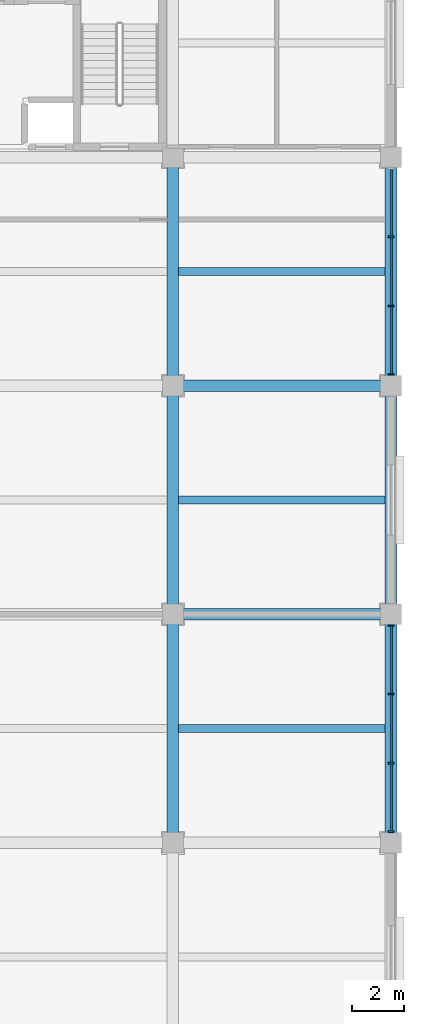
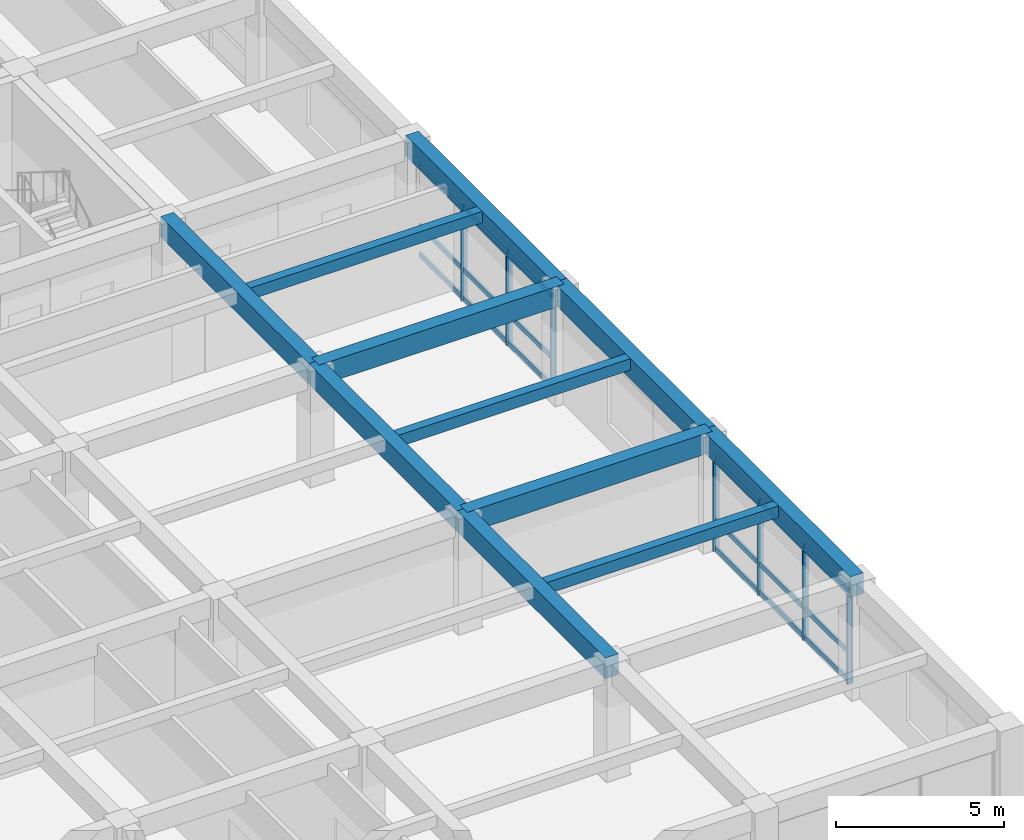
# One storey, part 26 of 57: 25 members, 11 beams, 2 elements without a shape of their own.
"""IFC4 building model written with IfcOpenShell, lengths in metres."""

from ifc_helpers import new_model, si_unit, direction, frame, origin, origin_2d, place, context, subcontext, project, spatial, rectangle, extrude, material, material_profile, profile_set, type_object, element, aggregate, save


model = new_model("IFC4")

# Units and contexts
model_context = context("Model", 3, precision=1e-05, world=origin(), true_north=direction((0.0, 1.0)))
body_context = subcontext(model_context, "Body", "Model", "MODEL_VIEW")
ifc_project = project(units=[si_unit("LENGTHUNIT", "METRE"), si_unit("AREAUNIT", "SQUARE_METRE"), si_unit("VOLUMEUNIT", "CUBIC_METRE"), si_unit("PLANEANGLEUNIT", "RADIAN"), si_unit("MASSUNIT", "GRAM", prefix="KILO")], contexts=[model_context])

# Site, building, storey
site_placement = place(None, origin())
site = spatial("IfcSite", under=ifc_project, at=site_placement, CompositionType="ELEMENT")
building_placement = place(site_placement, origin())
building = spatial("IfcBuilding", under=site, at=building_placement, Name="Kemercrest Conservatory and Botanical Centre", CompositionType="ELEMENT")
storey_placement = place(building_placement, frame((0.0, 0.0, 4.800048828125)))
storey = spatial("IfcBuildingStorey", under=building, at=storey_placement, Name="L01", CompositionType="ELEMENT", Elevation=4.800048828125)

# Beams
ifc_material_1 = material(Name="Concrete C40/50", Category="concrete")
ifc_material_profile_1 = material_profile(ifc_material_1, rectangle(XDim=0.449951171875, YDim=0.75, at=origin_2d()), Name="RC 450x750")
ifc_profile_set_1 = profile_set([ifc_material_profile_1], Name="Concrete C40/50")
beam_type_1 = type_object("IfcBeamType", Name="BM-RC75", PredefinedType="BEAM", material=ifc_profile_set_1)
for number, where, z_axis, x_axis, name in (
    (1, (167.60009765625, 87.199951171875, 3.824951171875), (1.0, 0.0, 0.0), (0.0, 1.0, 0.0), "V4-L02 beam BM-RC75 K/20-21"),
    (2, (167.60009765625, 96.0, 3.824951171875), (1.0, 0.0, 0.0), (0.0, 1.0, 0.0), "V4-L02 beam BM-RC75 L/20-21"),
):
    element("IfcBeam", number, at=place(storey_placement, frame(where, z_axis=z_axis, x_axis=x_axis)), inside=storey, type_object=beam_type_1, Name=name, PredefinedType="BEAM", context=body_context, shape_type="SweptSolid", body=[
        extrude(rectangle(XDim=0.449951171875, YDim=0.75, at=origin_2d()), origin(), (0.0, 0.0, 1.0), 8.39990234375),
    ])
for number, where, z_axis, x_axis, name in (
    (3, (167.60009765625, 78.39990234375, 3.824951171875), (0.0, 1.0, 0.0), (-1.0, 0.0, 0.0), "V4-L02 beam BM-RC75 20/J-K"),
    (4, (167.60009765625, 87.199951171875, 3.824951171875), (0.0, 1.0, 0.0), (-1.0, 0.0, 0.0), "V4-L02 beam BM-RC75 20/K-L"),
    (5, (167.60009765625, 96.0, 3.824951171875), (0.0, 1.0, 0.0), (-1.0, 0.0, 0.0), "V4-L02 beam BM-RC75 20/L-M"),
):
    element("IfcBeam", number, at=place(storey_placement, frame(where, z_axis=z_axis, x_axis=x_axis)), inside=storey, type_object=beam_type_1, Name=name, PredefinedType="BEAM", context=body_context, shape_type="SweptSolid", body=[
        extrude(rectangle(XDim=0.449951171875, YDim=0.75, at=origin_2d()), origin(), (0.0, 0.0, 1.0), 8.800048828125),
    ])

# Curtain wall, members
ifc_material_2 = material(Name="Thermally broken aluminium and triple low-e glazing", Category="aluminium")
curtain_wall_type_1 = type_object("IfcCurtainWallType", Name="CW-22", PredefinedType="USERDEFINED", material=ifc_material_2)
curtain_wall_1_placement = place(storey_placement, origin())
curtain_wall_1 = element("IfcCurtainWall", 6, at=curtain_wall_1_placement, inside=storey, type_object=curtain_wall_type_1, Name="Unitised curtain wall CW-22 (CW:L01:V4-051)", ObjectType="UNITISED CURTAIN WALL", PredefinedType="USERDEFINED")
ifc_material_3 = material(Name="Thermally broken anodized aluminium 6063-T6", Category="aluminium")
ifc_material_profile_2 = material_profile(ifc_material_3, rectangle(XDim=0.199951171875, YDim=0.06494140625, at=origin_2d()), Name="AL MULLION 65x200")
ifc_profile_set_2 = profile_set([ifc_material_profile_2], Name="Thermally broken anodized aluminium 6063-T6")
member_type_1 = type_object("IfcMemberType", Name="CW-M200", PredefinedType="MULLION", material=ifc_profile_set_2)
member_1_placement = place(storey_placement, frame((176.0, 78.827392578125, 0.0), z_axis=(0.0, 0.0, 1.0), x_axis=(-1.0, 0.0, 0.0)))
member_1 = element("IfcMember", 7, at=member_1_placement, type_object=member_type_1, Name="CW-22 mullion 1", PredefinedType="MULLION", context=body_context, shape_type="SweptSolid", body=[
    extrude(rectangle(XDim=0.199951171875, YDim=0.06494140625, at=origin_2d()), origin(), (0.0, 0.0, 1.0), 3.454833984375),
])
member_2_placement = place(storey_placement, frame((176.0, 81.465087890625, 0.0), z_axis=(0.0, 0.0, 1.0), x_axis=(-1.0, 0.0, 0.0)))
member_2 = element("IfcMember", 8, at=member_2_placement, type_object=member_type_1, Name="CW-22 mullion 2", PredefinedType="MULLION", context=body_context, shape_type="SweptSolid", body=[
    extrude(rectangle(XDim=0.199951171875, YDim=0.06494140625, at=origin_2d()), origin(), (0.0, 0.0, 1.0), 3.454833984375),
])
member_3_placement = place(storey_placement, frame((176.0, 84.135009765625, 0.0), z_axis=(0.0, 0.0, 1.0), x_axis=(-1.0, 0.0, 0.0)))
member_3 = element("IfcMember", 9, at=member_3_placement, type_object=member_type_1, Name="CW-22 mullion 3", PredefinedType="MULLION", context=body_context, shape_type="SweptSolid", body=[
    extrude(rectangle(XDim=0.199951171875, YDim=0.06494140625, at=origin_2d()), origin(), (0.0, 0.0, 1.0), 3.454833984375),
])
member_4_placement = place(storey_placement, frame((176.0, 86.7724609375, 0.0), z_axis=(0.0, 0.0, 1.0), x_axis=(-1.0, 0.0, 0.0)))
member_4 = element("IfcMember", 10, at=member_4_placement, type_object=member_type_1, Name="CW-22 mullion 4", PredefinedType="MULLION", context=body_context, shape_type="SweptSolid", body=[
    extrude(rectangle(XDim=0.199951171875, YDim=0.06494140625, at=origin_2d()), origin(), (0.0, 0.0, 1.0), 3.454833984375),
])

curtain_wall_type_2 = type_object("IfcCurtainWallType", Name="CW-23", PredefinedType="USERDEFINED", material=ifc_material_2)
curtain_wall_2_placement = place(storey_placement, origin())
curtain_wall_2 = element("IfcCurtainWall", 11, at=curtain_wall_2_placement, inside=storey, type_object=curtain_wall_type_2, Name="Unitised curtain wall CW-23 (CW:L01:V4-052)", ObjectType="UNITISED CURTAIN WALL", PredefinedType="USERDEFINED")
member_5_placement = place(storey_placement, frame((176.0, 96.427490234375, 0.0), z_axis=(0.0, 0.0, 1.0), x_axis=(-1.0, 0.0, 0.0)))
member_5 = element("IfcMember", 12, at=member_5_placement, type_object=member_type_1, Name="CW-23 mullion 1", PredefinedType="MULLION", context=body_context, shape_type="SweptSolid", body=[
    extrude(rectangle(XDim=0.199951171875, YDim=0.06494140625, at=origin_2d()), origin(), (0.0, 0.0, 1.0), 3.454833984375),
])
member_6_placement = place(storey_placement, frame((176.0, 99.06494140625, 0.0), z_axis=(0.0, 0.0, 1.0), x_axis=(-1.0, 0.0, 0.0)))
member_6 = element("IfcMember", 13, at=member_6_placement, type_object=member_type_1, Name="CW-23 mullion 2", PredefinedType="MULLION", context=body_context, shape_type="SweptSolid", body=[
    extrude(rectangle(XDim=0.199951171875, YDim=0.06494140625, at=origin_2d()), origin(), (0.0, 0.0, 1.0), 3.454833984375),
])
member_7_placement = place(storey_placement, frame((176.0, 101.735107421875, 0.0), z_axis=(0.0, 0.0, 1.0), x_axis=(-1.0, 0.0, 0.0)))
member_7 = element("IfcMember", 14, at=member_7_placement, type_object=member_type_1, Name="CW-23 mullion 3", PredefinedType="MULLION", context=body_context, shape_type="SweptSolid", body=[
    extrude(rectangle(XDim=0.199951171875, YDim=0.06494140625, at=origin_2d()), origin(), (0.0, 0.0, 1.0), 3.454833984375),
])

# Member
ifc_material_profile_3 = material_profile(ifc_material_3, rectangle(XDim=0.074951171875, YDim=0.179931640625, at=origin_2d()), Name="AL TRANSOM 75x180")
ifc_profile_set_3 = profile_set([ifc_material_profile_3], Name="Thermally broken anodized aluminium 6063-T6")
member_type_2 = type_object("IfcMemberType", Name="CW-T180", PredefinedType="USERDEFINED", material=ifc_profile_set_3)
member_8_placement = place(storey_placement, frame((176.0, 78.860107421875, 0.08984375), z_axis=(0.0, 1.0, 0.0), x_axis=(-1.0, 0.0, 0.0)))
member_8 = element("IfcMember", 15, at=member_8_placement, type_object=member_type_2, Name="CW-22 transom 1.1", ObjectType="TRANSOM", PredefinedType="USERDEFINED", context=body_context, shape_type="SweptSolid", body=[
    extrude(rectangle(XDim=0.074951171875, YDim=0.179931640625, at=origin_2d()), origin(), (0.0, 0.0, 1.0), 2.572509765625),
])

member_9_placement = place(storey_placement, frame((176.0, 78.860107421875, 1.119873046875), z_axis=(0.0, 1.0, 0.0), x_axis=(-1.0, 0.0, 0.0)))
member_9 = element("IfcMember", 16, at=member_9_placement, type_object=member_type_2, Name="CW-22 transom 1.2", ObjectType="TRANSOM", PredefinedType="USERDEFINED", context=body_context, shape_type="SweptSolid", body=[
    extrude(rectangle(XDim=0.074951171875, YDim=0.179931640625, at=origin_2d()), origin(), (0.0, 0.0, 1.0), 2.572509765625),
])

member_10_placement = place(storey_placement, frame((176.0, 78.860107421875, 3.364990234375), z_axis=(0.0, 1.0, 0.0), x_axis=(-1.0, 0.0, 0.0)))
member_10 = element("IfcMember", 17, at=member_10_placement, type_object=member_type_2, Name="CW-22 transom 1.3", ObjectType="TRANSOM", PredefinedType="USERDEFINED", context=body_context, shape_type="SweptSolid", body=[
    extrude(rectangle(XDim=0.074951171875, YDim=0.179931640625, at=origin_2d()), origin(), (0.0, 0.0, 1.0), 2.572509765625),
])

member_11_placement = place(storey_placement, frame((176.0, 81.49755859375, 0.08984375), z_axis=(0.0, 1.0, 0.0), x_axis=(-1.0, 0.0, 0.0)))
member_11 = element("IfcMember", 18, at=member_11_placement, type_object=member_type_2, Name="CW-22 transom 2.1", ObjectType="TRANSOM", PredefinedType="USERDEFINED", context=body_context, shape_type="SweptSolid", body=[
    extrude(rectangle(XDim=0.074951171875, YDim=0.179931640625, at=origin_2d()), origin(), (0.0, 0.0, 1.0), 2.60498046875),
])

member_12_placement = place(storey_placement, frame((176.0, 81.49755859375, 1.119873046875), z_axis=(0.0, 1.0, 0.0), x_axis=(-1.0, 0.0, 0.0)))
member_12 = element("IfcMember", 19, at=member_12_placement, type_object=member_type_2, Name="CW-22 transom 2.2", ObjectType="TRANSOM", PredefinedType="USERDEFINED", context=body_context, shape_type="SweptSolid", body=[
    extrude(rectangle(XDim=0.074951171875, YDim=0.179931640625, at=origin_2d()), origin(), (0.0, 0.0, 1.0), 2.60498046875),
])

member_13_placement = place(storey_placement, frame((176.0, 81.49755859375, 3.364990234375), z_axis=(0.0, 1.0, 0.0), x_axis=(-1.0, 0.0, 0.0)))
member_13 = element("IfcMember", 20, at=member_13_placement, type_object=member_type_2, Name="CW-22 transom 2.3", ObjectType="TRANSOM", PredefinedType="USERDEFINED", context=body_context, shape_type="SweptSolid", body=[
    extrude(rectangle(XDim=0.074951171875, YDim=0.179931640625, at=origin_2d()), origin(), (0.0, 0.0, 1.0), 2.60498046875),
])

member_14_placement = place(storey_placement, frame((176.0, 84.16748046875, 0.08984375), z_axis=(0.0, 1.0, 0.0), x_axis=(-1.0, 0.0, 0.0)))
member_14 = element("IfcMember", 21, at=member_14_placement, type_object=member_type_2, Name="CW-22 transom 3.1", ObjectType="TRANSOM", PredefinedType="USERDEFINED", context=body_context, shape_type="SweptSolid", body=[
    extrude(rectangle(XDim=0.074951171875, YDim=0.179931640625, at=origin_2d()), origin(), (0.0, 0.0, 1.0), 2.572509765625),
])

member_15_placement = place(storey_placement, frame((176.0, 84.16748046875, 1.119873046875), z_axis=(0.0, 1.0, 0.0), x_axis=(-1.0, 0.0, 0.0)))
member_15 = element("IfcMember", 22, at=member_15_placement, type_object=member_type_2, Name="CW-22 transom 3.2", ObjectType="TRANSOM", PredefinedType="USERDEFINED", context=body_context, shape_type="SweptSolid", body=[
    extrude(rectangle(XDim=0.074951171875, YDim=0.179931640625, at=origin_2d()), origin(), (0.0, 0.0, 1.0), 2.572509765625),
])

member_16_placement = place(storey_placement, frame((176.0, 84.16748046875, 3.364990234375), z_axis=(0.0, 1.0, 0.0), x_axis=(-1.0, 0.0, 0.0)))
member_16 = element("IfcMember", 23, at=member_16_placement, type_object=member_type_2, Name="CW-22 transom 3.3", ObjectType="TRANSOM", PredefinedType="USERDEFINED", context=body_context, shape_type="SweptSolid", body=[
    extrude(rectangle(XDim=0.074951171875, YDim=0.179931640625, at=origin_2d()), origin(), (0.0, 0.0, 1.0), 2.572509765625),
])

aggregate(curtain_wall_1, [member_1, member_2, member_3, member_4, member_8, member_9, member_10, member_11, member_12, member_13, member_14, member_15, member_16])

member_17_placement = place(storey_placement, frame((176.0, 96.4599609375, 0.08984375), z_axis=(0.0, 1.0, 0.0), x_axis=(-1.0, 0.0, 0.0)))
member_17 = element("IfcMember", 24, at=member_17_placement, type_object=member_type_2, Name="CW-23 transom 1.1", ObjectType="TRANSOM", PredefinedType="USERDEFINED", context=body_context, shape_type="SweptSolid", body=[
    extrude(rectangle(XDim=0.074951171875, YDim=0.179931640625, at=origin_2d()), origin(), (0.0, 0.0, 1.0), 2.572509765625),
])

member_18_placement = place(storey_placement, frame((176.0, 96.4599609375, 1.119873046875), z_axis=(0.0, 1.0, 0.0), x_axis=(-1.0, 0.0, 0.0)))
member_18 = element("IfcMember", 25, at=member_18_placement, type_object=member_type_2, Name="CW-23 transom 1.2", ObjectType="TRANSOM", PredefinedType="USERDEFINED", context=body_context, shape_type="SweptSolid", body=[
    extrude(rectangle(XDim=0.074951171875, YDim=0.179931640625, at=origin_2d()), origin(), (0.0, 0.0, 1.0), 2.572509765625),
])

member_19_placement = place(storey_placement, frame((176.0, 96.4599609375, 3.364990234375), z_axis=(0.0, 1.0, 0.0), x_axis=(-1.0, 0.0, 0.0)))
member_19 = element("IfcMember", 26, at=member_19_placement, type_object=member_type_2, Name="CW-23 transom 1.3", ObjectType="TRANSOM", PredefinedType="USERDEFINED", context=body_context, shape_type="SweptSolid", body=[
    extrude(rectangle(XDim=0.074951171875, YDim=0.179931640625, at=origin_2d()), origin(), (0.0, 0.0, 1.0), 2.572509765625),
])

member_20_placement = place(storey_placement, frame((176.0, 99.097412109375, 0.08984375), z_axis=(0.0, 1.0, 0.0), x_axis=(-1.0, 0.0, 0.0)))
member_20 = element("IfcMember", 27, at=member_20_placement, type_object=member_type_2, Name="CW-23 transom 2.1", ObjectType="TRANSOM", PredefinedType="USERDEFINED", context=body_context, shape_type="SweptSolid", body=[
    extrude(rectangle(XDim=0.074951171875, YDim=0.179931640625, at=origin_2d()), origin(), (0.0, 0.0, 1.0), 2.60498046875),
])

member_21_placement = place(storey_placement, frame((176.0, 99.097412109375, 1.119873046875), z_axis=(0.0, 1.0, 0.0), x_axis=(-1.0, 0.0, 0.0)))
member_21 = element("IfcMember", 28, at=member_21_placement, type_object=member_type_2, Name="CW-23 transom 2.2", ObjectType="TRANSOM", PredefinedType="USERDEFINED", context=body_context, shape_type="SweptSolid", body=[
    extrude(rectangle(XDim=0.074951171875, YDim=0.179931640625, at=origin_2d()), origin(), (0.0, 0.0, 1.0), 2.60498046875),
])

member_22_placement = place(storey_placement, frame((176.0, 99.097412109375, 3.364990234375), z_axis=(0.0, 1.0, 0.0), x_axis=(-1.0, 0.0, 0.0)))
member_22 = element("IfcMember", 29, at=member_22_placement, type_object=member_type_2, Name="CW-23 transom 2.3", ObjectType="TRANSOM", PredefinedType="USERDEFINED", context=body_context, shape_type="SweptSolid", body=[
    extrude(rectangle(XDim=0.074951171875, YDim=0.179931640625, at=origin_2d()), origin(), (0.0, 0.0, 1.0), 2.60498046875),
])

member_23_placement = place(storey_placement, frame((176.0, 101.767578125, 0.08984375), z_axis=(0.0, 1.0, 0.0), x_axis=(-1.0, 0.0, 0.0)))
member_23 = element("IfcMember", 30, at=member_23_placement, type_object=member_type_2, Name="CW-23 transom 3.1", ObjectType="TRANSOM", PredefinedType="USERDEFINED", context=body_context, shape_type="SweptSolid", body=[
    extrude(rectangle(XDim=0.074951171875, YDim=0.179931640625, at=origin_2d()), origin(), (0.0, 0.0, 1.0), 2.572509765625),
])

member_24_placement = place(storey_placement, frame((176.0, 101.767578125, 1.119873046875), z_axis=(0.0, 1.0, 0.0), x_axis=(-1.0, 0.0, 0.0)))
member_24 = element("IfcMember", 31, at=member_24_placement, type_object=member_type_2, Name="CW-23 transom 3.2", ObjectType="TRANSOM", PredefinedType="USERDEFINED", context=body_context, shape_type="SweptSolid", body=[
    extrude(rectangle(XDim=0.074951171875, YDim=0.179931640625, at=origin_2d()), origin(), (0.0, 0.0, 1.0), 2.572509765625),
])

member_25_placement = place(storey_placement, frame((176.0, 101.767578125, 3.364990234375), z_axis=(0.0, 1.0, 0.0), x_axis=(-1.0, 0.0, 0.0)))
member_25 = element("IfcMember", 32, at=member_25_placement, type_object=member_type_2, Name="CW-23 transom 3.3", ObjectType="TRANSOM", PredefinedType="USERDEFINED", context=body_context, shape_type="SweptSolid", body=[
    extrude(rectangle(XDim=0.074951171875, YDim=0.179931640625, at=origin_2d()), origin(), (0.0, 0.0, 1.0), 2.572509765625),
])

aggregate(curtain_wall_2, [member_5, member_6, member_7, member_17, member_18, member_19, member_20, member_21, member_22, member_23, member_24, member_25])

# Beams
ifc_material_profile_4 = material_profile(ifc_material_1, rectangle(XDim=0.300048828125, YDim=0.419921875, at=origin_2d()), Name="RC 300x420")
ifc_profile_set_4 = profile_set([ifc_material_profile_4], Name="Concrete C40/50")
beam_type_2 = type_object("IfcBeamType", Name="JS-RC42", PredefinedType="JOIST", material=ifc_profile_set_4)
for number, where, z_axis, x_axis, name in (
    (33, (167.824951171875, 82.800048828125, 3.989990234375), (1.0, 0.0, 0.0), (0.0, 1.0, 0.0), "V4-L02 secondary joist JS-RC42"),
    (34, (167.824951171875, 91.60009765625, 3.989990234375), (1.0, 0.0, 0.0), (0.0, 1.0, 0.0), "V4-L02 secondary joist JS-RC42"),
    (35, (167.824951171875, 100.39990234375, 3.989990234375), (1.0, 0.0, 0.0), (0.0, 1.0, 0.0), "V4-L02 secondary joist JS-RC42"),
):
    element("IfcBeam", number, at=place(storey_placement, frame(where, z_axis=z_axis, x_axis=x_axis)), inside=storey, type_object=beam_type_2, Name=name, PredefinedType="JOIST", context=body_context, shape_type="SweptSolid", body=[
        extrude(rectangle(XDim=0.300048828125, YDim=0.419921875, at=origin_2d()), origin(), (0.0, 0.0, 1.0), 7.949951171875),
    ])
ifc_material_profile_5 = material_profile(ifc_material_1, rectangle(XDim=0.449951171875, YDim=0.75, at=origin_2d()), Name="RC 450x750")
ifc_profile_set_5 = profile_set([ifc_material_profile_5], Name="Concrete C40/50")
beam_type_3 = type_object("IfcBeamType", Name="SP-RC75", PredefinedType="SPANDREL", material=ifc_profile_set_5)
for number, where, z_axis, x_axis, name in (
    (36, (176.0, 78.39990234375, 3.824951171875), (0.0, 1.0, 0.0), (-1.0, 0.0, 0.0), "V4-L02 beam SP-RC75 21/J-K"),
    (37, (176.0, 87.199951171875, 3.824951171875), (0.0, 1.0, 0.0), (-1.0, 0.0, 0.0), "V4-L02 beam SP-RC75 21/K-L"),
    (38, (176.0, 96.0, 3.824951171875), (0.0, 1.0, 0.0), (-1.0, 0.0, 0.0), "V4-L02 beam SP-RC75 21/L-M"),
):
    element("IfcBeam", number, at=place(storey_placement, frame(where, z_axis=z_axis, x_axis=x_axis)), inside=storey, type_object=beam_type_3, Name=name, PredefinedType="SPANDREL", context=body_context, shape_type="SweptSolid", body=[
        extrude(rectangle(XDim=0.449951171875, YDim=0.75, at=origin_2d()), origin(), (0.0, 0.0, 1.0), 8.800048828125),
    ])

save(model, "model.ifc")
